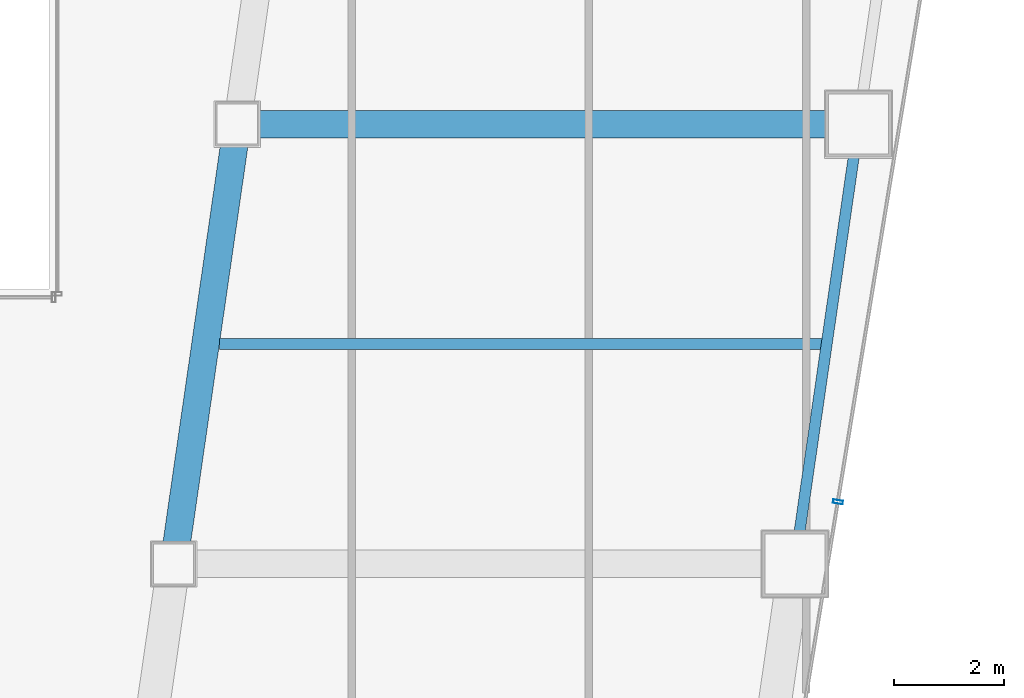
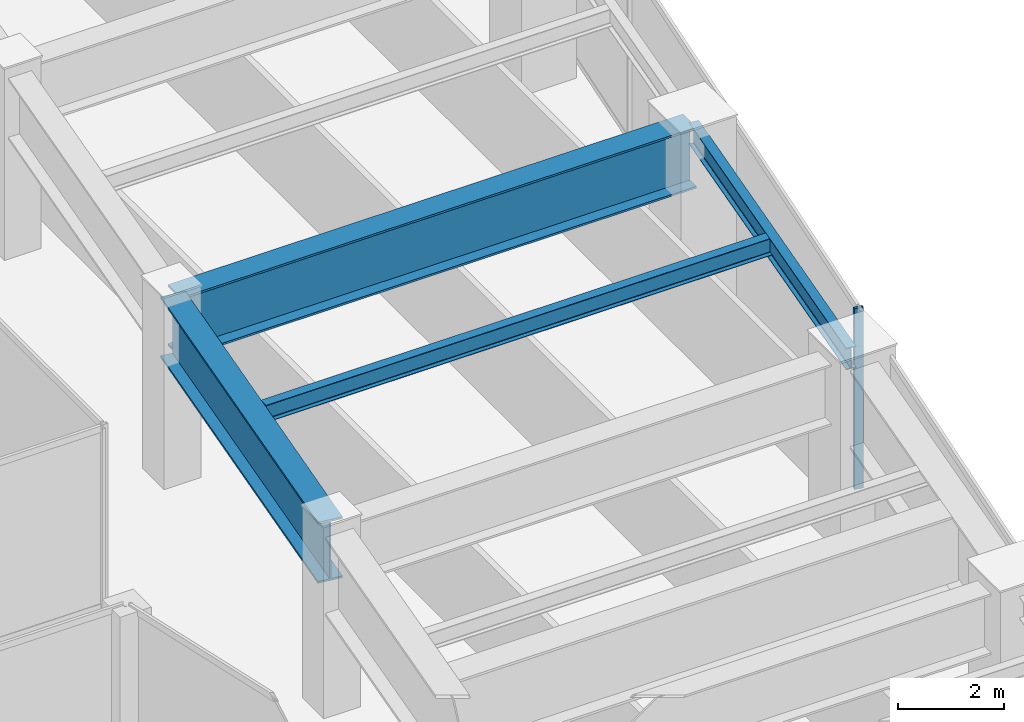
# One storey, part 18 of 40: 4 beams, 1 member, 1 element without a shape of its own.
"""IFC4 building model written with IfcOpenShell, lengths in metres."""

import ifcopenshell
import ifcopenshell.guid

model = None  # the IFC model being written
_history = None  # IfcOwnerHistory: only IFC2X3 demands one
_inside = {}  # id of a spatial element -> (the spatial element, [elements in it])
_under = {}  # id of a project, library or spatial element -> (it, [spatial elements below it])
_declared = {}  # id of a project -> (the project, [libraries it declares])
_typed = {}  # id of a type object -> (the type object, [elements of that type])
_made_of = {}  # id of a material, layer set ... -> (it, [elements and type objects made of it])


def new_model(schema):
    """Start an empty IFC model of exactly this schema.

    Asked for "IFC4X3", IfcOpenShell would pick the latest addendum, in which some entities
    have other attributes; the version numbers below select the first issue.
    IFC2X3 requires an IfcOwnerHistory on every rooted entity: one is made here for all.
    """
    global model, _history
    if schema == "IFC4X3":
        model = ifcopenshell.file(schema_version=(4, 3, 0, 0))
    else:
        model = ifcopenshell.file(schema=schema)
    _inside.clear()
    _under.clear()
    _declared.clear()
    _typed.clear()
    _made_of.clear()
    _history = None
    if model.schema == "IFC2X3":
        org = make("IfcOrganization", Name="unknown")
        user = make(
            "IfcPersonAndOrganization",
            ThePerson=make("IfcPerson", FamilyName="unknown"),
            TheOrganization=org,
        )
        app = make(
            "IfcApplication",
            ApplicationDeveloper=org,
            Version="unknown",
            ApplicationFullName="unknown",
            ApplicationIdentifier="unknown",
        )
        _history = make(
            "IfcOwnerHistory",
            OwningUser=user,
            OwningApplication=app,
            ChangeAction="ADDED",
            CreationDate=0,
        )
    return model


def make(cls, **values):
    """One entity of the class cls with the attributes given. An attribute that is None is left unset."""
    return model.create_entity(
        cls, **{name: value for name, value in values.items() if value is not None}
    )


def rooted(cls, **values):
    """An entity with a GlobalId (a new one), such as an element, a storey or a relation."""
    return make(cls, GlobalId=ifcopenshell.guid.new(), OwnerHistory=_history, **values)


def si_unit(unit_type, name, prefix=None):
    """IfcSIUnit, for example si_unit("LENGTHUNIT", "METRE", prefix="MILLI")."""
    return make("IfcSIUnit", UnitType=unit_type, Prefix=prefix, Name=name)


def assignment(units):
    """IfcUnitAssignment: the units of a project."""
    return None if units is None else make("IfcUnitAssignment", Units=units)


def point(xyz):
    """IfcCartesianPoint."""
    return None if xyz is None else make("IfcCartesianPoint", Coordinates=xyz)


def direction(xyz):
    """IfcDirection."""
    return None if xyz is None else make("IfcDirection", DirectionRatios=xyz)


def frame(location, z_axis=None, x_axis=None):
    """IfcAxis2Placement3D, a coordinate frame: its origin and axes. An axis left out is left unset."""
    return make(
        "IfcAxis2Placement3D",
        Location=point(location),
        Axis=direction(z_axis),
        RefDirection=direction(x_axis),
    )


def frame_2d(location, x_axis=None):
    """IfcAxis2Placement2D, a coordinate frame in the plane: its origin and x axis."""
    return make(
        "IfcAxis2Placement2D", Location=point(location), RefDirection=direction(x_axis)
    )


def origin():
    """The frame at (0, 0, 0) with its axes left unset."""
    return frame((0.0, 0.0, 0.0))


def origin_2d():
    """The frame at (0, 0) in the plane with its x axis left unset."""
    return frame_2d((0.0, 0.0))


def place(relative_to, where):
    """IfcLocalPlacement: puts the frame where relative to a parent placement (None: the world)."""
    return make(
        "IfcLocalPlacement", PlacementRelTo=relative_to, RelativePlacement=where
    )


def context(
    kind, dimensions, precision=None, world=None, true_north=None, identifier=None
):
    """IfcGeometricRepresentationContext, for example the 3D "Model" context."""
    return make(
        "IfcGeometricRepresentationContext",
        ContextIdentifier=identifier,
        ContextType=kind,
        CoordinateSpaceDimension=dimensions,
        Precision=precision,
        WorldCoordinateSystem=world,
        TrueNorth=true_north,
    )


def subcontext(parent, identifier, kind, view, scale=None):
    """IfcGeometricRepresentationSubContext, for example "Body" below "Model"."""
    return make(
        "IfcGeometricRepresentationSubContext",
        ContextIdentifier=identifier,
        ContextType=kind,
        ParentContext=parent,
        TargetScale=scale,
        TargetView=view,
    )


def project(units=None, contexts=None):
    """IfcProject with its units and contexts."""
    return rooted(
        "IfcProject",
        Name="project",
        RepresentationContexts=contexts,
        UnitsInContext=assignment(units),
    )


def spatial(cls, under=None, at=None, **own):
    """A site, building, storey or space (cls), placed at a placement, below another one or the project."""
    s = rooted(cls, ObjectPlacement=at, **own)
    if under is not None:
        _under.setdefault(under.id(), (under, []))[1].append(s)
    return s


def profile(cls, at=None, kind="AREA", **sizes):
    """A parametric profile (cls). Its sizes go by their IFC names, for example OverallWidth=200.0."""
    return make(cls, ProfileType=kind, Position=at, **sizes)


def hollow_rectangle(**sizes):
    """IfcRectangleHollowProfileDef."""
    return profile("IfcRectangleHollowProfileDef", **sizes)


def i_section(**sizes):
    """IfcIShapeProfileDef."""
    return profile("IfcIShapeProfileDef", **sizes)


def extrude(swept, where, along, depth):
    """IfcExtrudedAreaSolid: the profile swept, set in the frame where, extruded along a direction by depth."""
    return make(
        "IfcExtrudedAreaSolid",
        SweptArea=swept,
        Position=where,
        ExtrudedDirection=direction(along),
        Depth=depth,
    )


def shape(context_of_items, identifier, shape_type, items):
    """IfcShapeRepresentation: the items that make up one representation, for example the "Body"."""
    return make(
        "IfcShapeRepresentation",
        ContextOfItems=context_of_items,
        RepresentationIdentifier=identifier,
        RepresentationType=shape_type,
        Items=items,
    )


def material(Name=None, Category=None):
    """IfcMaterial."""
    return make("IfcMaterial", Name=Name, Category=Category)


def material_profile(
    of_material, cross_section, Name=None, Category=None, Priority=None
):
    """IfcMaterialProfile: a cross section and its material."""
    return make(
        "IfcMaterialProfile",
        Name=Name,
        Material=of_material,
        Profile=cross_section,
        Priority=Priority,
        Category=Category,
    )


def profile_set(profiles, Name=None, composite=None):
    """IfcMaterialProfileSet."""
    return make(
        "IfcMaterialProfileSet",
        Name=Name,
        MaterialProfiles=profiles,
        CompositeProfile=composite,
    )


def made_of(thing, what):
    """Note that an element or type object is made of a material, layer set ...; save() writes the relation."""
    if what is not None:
        _made_of.setdefault(what.id(), (what, []))[1].append(thing)
    return thing


def type_object(cls, material=None, **own):
    """A type object (cls), such as IfcWallType, which elements share."""
    return made_of(rooted(cls, **own), material)


def element(
    cls,
    number,
    at=None,
    inside=None,
    cuts=None,
    type_object=None,
    material=None,
    context=None,
    identifier="Body",
    shape_type=None,
    held_by="IfcProductDefinitionShape",
    body=None,
    shapes=None,
    **own,
):
    """One element of the class cls, such as IfcWall. Its Tag is "e" and its number.

    at: its placement. inside: the storey or other place that contains it. cuts: it is an
    opening in that element (IfcRelVoidsElement). A single representation is given by context,
    identifier, shape_type and body (its items); several are given by shapes. held_by: the class
    of the entity that holds the representations. save() writes the other relations.
    """
    e = rooted(cls, Tag="e%d" % number, ObjectPlacement=at, **own)
    if body is not None:
        shapes = [shape(context, identifier, shape_type, body)]
    if shapes is not None:
        e.Representation = make(held_by, Representations=shapes)
    if inside is not None:
        _inside.setdefault(inside.id(), (inside, []))[1].append(e)
    if cuts is not None:
        rooted(
            "IfcRelVoidsElement", RelatingBuildingElement=cuts, RelatedOpeningElement=e
        )
    if type_object is not None:
        _typed.setdefault(type_object.id(), (type_object, []))[1].append(e)
    return made_of(e, material)


def aggregate(whole, parts):
    """IfcRelAggregates: a whole, such as a stair, and the parts it consists of."""
    return rooted("IfcRelAggregates", RelatingObject=whole, RelatedObjects=parts)


def save(model, path):
    """Write the relations noted so far, then the file.

    IfcRelAggregates (storeys below a building ...), IfcRelContainedInSpatialStructure (elements
    in a storey), IfcRelDefinesByType, IfcRelAssociatesMaterial and IfcRelDeclares: one each for
    every whole, place, type object, material and project.
    """
    for whole, parts in _under.values():
        aggregate(whole, parts)
    for where, things in _inside.values():
        rooted(
            "IfcRelContainedInSpatialStructure",
            RelatedElements=things,
            RelatingStructure=where,
        )
    for kind, things in _typed.values():
        rooted("IfcRelDefinesByType", RelatedObjects=things, RelatingType=kind)
    for what, things in _made_of.values():
        rooted("IfcRelAssociatesMaterial", RelatedObjects=things, RelatingMaterial=what)
    for by, libraries in _declared.values():
        rooted("IfcRelDeclares", RelatingContext=by, RelatedDefinitions=libraries)
    model.write(path)


model = new_model("IFC4")

# Units and contexts
model_context = context("Model", 3, precision=1e-05, world=origin(), true_north=direction((0.0, 1.0)))
body_context = subcontext(model_context, "Body", "Model", "MODEL_VIEW")
ifc_project = project(units=[si_unit("LENGTHUNIT", "METRE"), si_unit("AREAUNIT", "SQUARE_METRE"), si_unit("VOLUMEUNIT", "CUBIC_METRE"), si_unit("PLANEANGLEUNIT", "RADIAN"), si_unit("MASSUNIT", "GRAM", prefix="KILO")], contexts=[model_context])

# Site, building, storey
site_placement = place(None, origin())
site = spatial("IfcSite", under=ifc_project, at=site_placement, CompositionType="ELEMENT")
building_placement = place(site_placement, origin())
building = spatial("IfcBuilding", under=site, at=building_placement, Name="Saevonmaru Cultural Tower", CompositionType="ELEMENT")
storey_placement = place(building_placement, frame((0.0, 0.0, 97.199951171875)))
storey = spatial("IfcBuildingStorey", under=building, at=storey_placement, Name="L20", CompositionType="ELEMENT", Elevation=97.199951171875)

# Beams
ifc_material_1 = material(Name="Steel SM355", Category="steel")
ifc_material_profile_1 = material_profile(ifc_material_1, i_section(OverallWidth=0.199951171875, OverallDepth=0.39990234375, WebThickness=0.008056640625, FlangeThickness=0.012939453125, FilletRadius=0.01611328125, at=origin_2d()), Name="H-400x200x8x13")
ifc_profile_set_1 = profile_set([ifc_material_profile_1], Name="Steel SM355")
beam_type_1 = type_object("IfcBeamType", Name="BM-J-H400", PredefinedType="JOIST", material=ifc_profile_set_1)
beam_1_placement = place(storey_placement, frame((38.907958984375, 20.0, 3.949951171875), z_axis=(1.0, 0.0, 0.0), x_axis=(0.0, 1.0, 0.0)))
element("IfcBeam", 1, at=beam_1_placement, inside=storey, type_object=beam_type_1, Name="L20 East Wing Floor Joist 3", PredefinedType="JOIST", context=body_context, shape_type="SweptSolid", body=[
    extrude(i_section(OverallWidth=0.199951171875, OverallDepth=0.39990234375, WebThickness=0.008056640625, FlangeThickness=0.012939453125, FilletRadius=0.01611328125, at=origin_2d()), origin(), (0.0, 0.0, 1.0), 10.98193359375),
])
ifc_material_profile_2 = material_profile(ifc_material_1, i_section(OverallWidth=0.199951171875, OverallDepth=0.5, WebThickness=0.010009765625, FlangeThickness=0.01611328125, FilletRadius=0.02001953125, at=origin_2d()), Name="H-500x200x10x16")
ifc_profile_set_2 = profile_set([ifc_material_profile_2], Name="Steel SM355")
beam_type_2 = type_object("IfcBeamType", Name="BM-SP-H500", PredefinedType="SPANDREL", material=ifc_profile_set_2)
beam_2_placement = place(storey_placement, frame((49.380615234375, 16.059326171875, 3.900146484375), z_axis=(0.142992129437, 0.989723825579, 0.0), x_axis=(-0.989723825579, 0.142992129437, 0.0)))
element("IfcBeam", 2, at=beam_2_placement, inside=storey, type_object=beam_type_2, Name="L20 East Splayed Spandrel 3", PredefinedType="SPANDREL", context=body_context, shape_type="SweptSolid", body=[
    extrude(i_section(OverallWidth=0.199951171875, OverallDepth=0.5, WebThickness=0.010009765625, FlangeThickness=0.01611328125, FilletRadius=0.02001953125, at=origin_2d()), origin(), (0.0, 0.0, 1.0), 7.963134765625),
])
ifc_material_2 = material(Name="Steel HSA600 (600 MPa)", Category="steel")
ifc_material_profile_3 = material_profile(ifc_material_2, i_section(OverallWidth=0.5, OverallDepth=1.39990234375, WebThickness=0.02392578125, FlangeThickness=0.044921875, at=origin_2d()), Name="PG-1400x500x24x45")
ifc_profile_set_3 = profile_set([ifc_material_profile_3], Name="Steel HSA600 (600 MPa)")
beam_type_3 = type_object("IfcBeamType", Name="BM-TG-PG1400", PredefinedType="BEAM", material=ifc_profile_set_3)
beam_3_placement = place(storey_placement, frame((38.08056640625, 16.059326171875, 3.449951171875), z_axis=(0.143022161059, 0.989719486241, 0.0), x_axis=(-0.989719486241, 0.143022161059, 0.0)))
element("IfcBeam", 3, at=beam_3_placement, inside=storey, type_object=beam_type_3, Name="L20 East Atrium Girder 3", PredefinedType="BEAM", context=body_context, shape_type="SweptSolid", body=[
    extrude(i_section(OverallWidth=0.5, OverallDepth=1.39990234375, WebThickness=0.02392578125, FlangeThickness=0.044921875, at=origin_2d()), origin(), (0.0, 0.0, 1.0), 7.963134765625),
])
beam_4_placement = place(storey_placement, frame((39.2880859375, 24.0, 3.449951171875), z_axis=(1.0, 0.0, 0.0), x_axis=(0.0, 1.0, 0.0)))
element("IfcBeam", 4, at=beam_4_placement, inside=storey, type_object=beam_type_3, Name="L20 East Wing Transverse Girder 4", PredefinedType="BEAM", context=body_context, shape_type="SweptSolid", body=[
    extrude(i_section(OverallWidth=0.5, OverallDepth=1.39990234375, WebThickness=0.02392578125, FlangeThickness=0.044921875, at=origin_2d()), origin(), (0.0, 0.0, 1.0), 11.179931640625),
])

# Curtain wall, member
ifc_material_3 = material(Name="Satin Bronze Anodised Aluminium", Category="aluminium")
curtain_wall_type = type_object("IfcCurtainWallType", Name="CW-TYP-A", PredefinedType="NOTDEFINED", material=ifc_material_3)
curtain_wall_placement = place(storey_placement, origin())
curtain_wall = element("IfcCurtainWall", 5, at=curtain_wall_placement, inside=storey, type_object=curtain_wall_type, Name="L20 Unitised Curtain Wall E8", PredefinedType="NOTDEFINED")
ifc_material_profile_4 = material_profile(ifc_material_3, hollow_rectangle(XDim=0.06494140625, YDim=0.179931640625, WallThickness=0.00390625, at=origin_2d()), Name="ALU-MULL-180x65x4")
ifc_profile_set_4 = profile_set([ifc_material_profile_4], Name="Satin Bronze Anodised Aluminium")
member_type = type_object("IfcMemberType", Name="ML-CW-180x65", PredefinedType="MULLION", material=ifc_profile_set_4)
member_placement = place(storey_placement, frame((50.15478515625, 17.129638671875, 0.0), z_axis=(0.0, 0.0, 1.0), x_axis=(0.161708868641, 0.986838508472, 0.0)))
member = element("IfcMember", 6, at=member_placement, type_object=member_type, Name="CW-TW-L20-E8 mullion 2", PredefinedType="MULLION", context=body_context, shape_type="SweptSolid", body=[
    extrude(hollow_rectangle(XDim=0.06494140625, YDim=0.179931640625, WallThickness=0.00390625, at=origin_2d()), origin(), (0.0, 0.0, 1.0), 4.150146484375),
])
aggregate(curtain_wall, [member])

save(model, "model.ifc")
